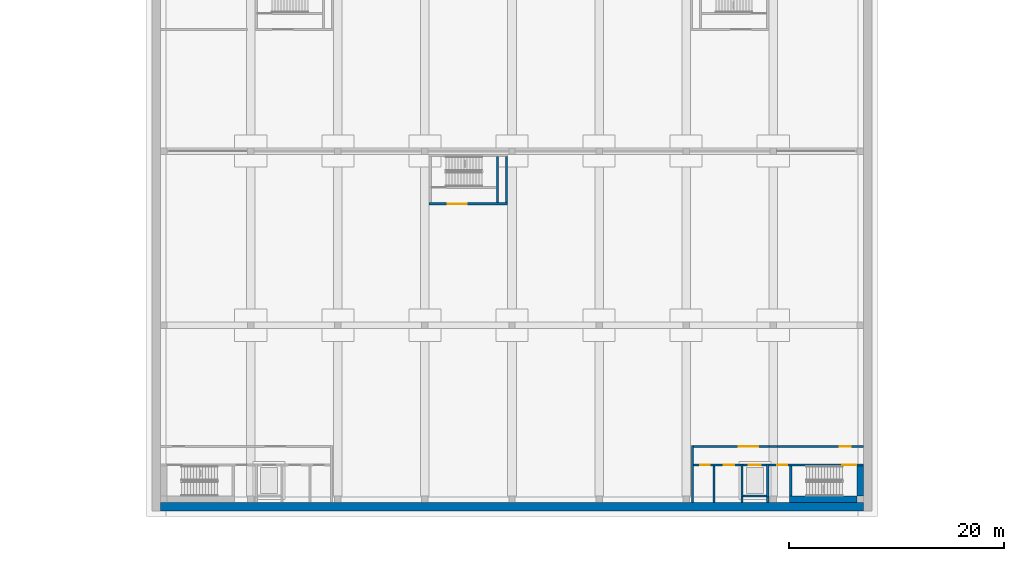
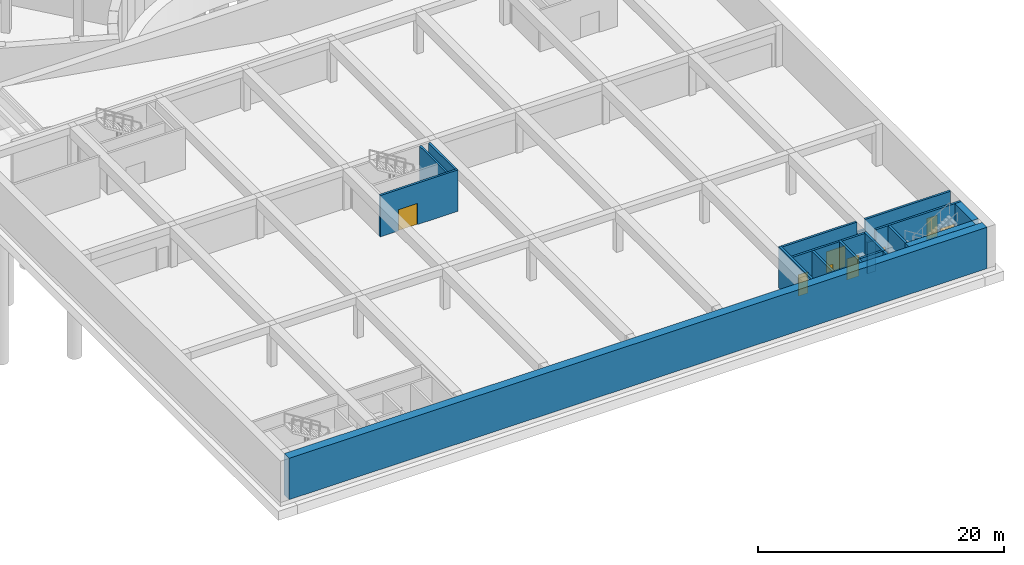
# One storey, part 6 of 25: 21 walls, 8 doors, 8 openings.
"""IFC4 building model written with IfcOpenShell, lengths in metres."""

from ifc_helpers import new_model, si_unit, direction, frame, frame_2d, origin, place, context, subcontext, project, spatial, rectangle, extrude, material, layer, layer_set, type_object, element, fill, save


model = new_model("IFC4")

# Units and contexts
model_context = context("Model", 3, precision=1e-05, world=origin(), true_north=direction((0.0, 1.0)))
body_context = subcontext(model_context, "Body", "Model", "MODEL_VIEW")
ifc_project = project(units=[si_unit("LENGTHUNIT", "METRE"), si_unit("AREAUNIT", "SQUARE_METRE"), si_unit("VOLUMEUNIT", "CUBIC_METRE"), si_unit("PLANEANGLEUNIT", "RADIAN"), si_unit("MASSUNIT", "GRAM", prefix="KILO")], contexts=[model_context])

# Site, building, storey
site_placement = place(None, origin())
site = spatial("IfcSite", under=ifc_project, at=site_placement, CompositionType="ELEMENT")
building_placement = place(site_placement, origin())
building = spatial("IfcBuilding", under=site, at=building_placement, Name="Stone Belt Terrace Tower", CompositionType="ELEMENT")
storey_placement = place(building_placement, frame((0.0, 0.0, -13.5)))
storey = spatial("IfcBuildingStorey", under=building, at=storey_placement, Name="B3", CompositionType="ELEMENT", Elevation=-13.5)

# Wall
ifc_material_1 = material(Name="Concrete B30", Category="concrete")
ifc_layer_1 = layer(ifc_material_1, 0.199951171875)
ifc_layer_set_1 = layer_set([ifc_layer_1], Name="Car park core wall 200")
wall_type_1 = type_object("IfcWallType", Name="Car park core wall 200", PredefinedType="SOLIDWALL", material=ifc_layer_set_1)
wall_1_placement = place(storey_placement, frame((25.93994140625, -50.10009765625, 0.0), z_axis=(0.0, 0.0, 1.0), x_axis=(0.0, 1.0, 0.0)))
element("IfcWall", 1, at=wall_1_placement, inside=storey, type_object=wall_type_1, Name="Car park stair 2 wall", PredefinedType="SOLIDWALL", context=body_context, shape_type="SweptSolid", body=[
    extrude(rectangle(XDim=2.800048828125, YDim=0.199951171875, at=frame_2d((1.39990234375, 0.0))), origin(), (0.0, 0.0, 1.0), 4.10009765625),
])

# Wall, openings, doors
wall_2_placement = place(storey_placement, frame((24.699951171875, -47.199951171875, 0.0), z_axis=(0.0, 0.0, 1.0), x_axis=(1.0, 0.0, 0.0)))
wall_2 = element("IfcWall", 2, at=wall_2_placement, inside=storey, type_object=wall_type_1, Name="Car park core 2 wall", PredefinedType="SOLIDWALL", context=body_context, shape_type="SweptSolid", body=[
    extrude(rectangle(XDim=8.0, YDim=0.199951171875, at=frame_2d((4.0, 0.0))), origin(), (0.0, 0.0, 1.0), 4.10009765625),
])
opening_1_placement = place(wall_2_placement, frame((6.050048828125, 0.0, 0.0)))
opening_1 = element("IfcOpeningElement", 3, at=opening_1_placement, cuts=wall_2, Name="Opening B3-S12", PredefinedType="OPENING", context=body_context, shape_type="SweptSolid", body=[
    extrude(rectangle(XDim=1.300048828125, YDim=2.10009765625, at=frame_2d((0.64990234375, 1.050048828125))), frame((0.0, 0.10986328125, 0.0), z_axis=(0.0, -1.0, 0.0), x_axis=(1.0, 0.0, 0.0)), (0.0, 0.0, 1.0), 0.219970703125),
])
opening_2_placement = place(wall_2_placement, origin())
opening_2 = element("IfcOpeningElement", 4, at=opening_2_placement, cuts=wall_2, Name="Opening B3-S13", PredefinedType="OPENING", context=body_context, shape_type="SweptSolid", body=[
    extrude(rectangle(XDim=0.89990234375, YDim=2.10009765625, at=frame_2d((0.449951171875, 1.050048828125))), frame((0.0, 0.10986328125, 0.0), z_axis=(0.0, -1.0, 0.0), x_axis=(1.0, 0.0, 0.0)), (0.0, 0.0, 1.0), 0.219970703125),
])
ifc_material_2 = material(Name="Steel door leaf", Category="steel")
door_type_1 = type_object("IfcDoorType", Name="Core door 1300 fire rated", OperationType="NOTDEFINED", PredefinedType="DOOR", material=ifc_material_2)
door_1_placement = place(opening_1_placement, origin())
door_1 = element("IfcDoor", 5, at=door_1_placement, inside=storey, type_object=door_type_1, Name="Stair 2 door", OperationType="SINGLE_SWING_RIGHT", OverallHeight=2.10009765625, OverallWidth=1.300048828125, PredefinedType="DOOR", context=body_context, shape_type="SweptSolid", body=[
    extrude(rectangle(XDim=1.300048828125, YDim=2.10009765625, at=frame_2d((0.64990234375, 1.050048828125))), frame((0.0, 0.02490234375, 0.0), z_axis=(0.0, -1.0, 0.0), x_axis=(1.0, 0.0, 0.0)), (0.0, 0.0, 1.0), 0.050048828125),
])
fill(opening_1, door_1)
door_type_2 = type_object("IfcDoorType", Name="Core door 900 fire rated", OperationType="NOTDEFINED", PredefinedType="DOOR", material=ifc_material_2)
door_2_placement = place(opening_2_placement, origin())
door_2 = element("IfcDoor", 6, at=door_2_placement, inside=storey, type_object=door_type_2, Name="Riser room 2 door", OperationType="SINGLE_SWING_LEFT", OverallHeight=2.10009765625, OverallWidth=0.89990234375, PredefinedType="DOOR", context=body_context, shape_type="SweptSolid", body=[
    extrude(rectangle(XDim=0.89990234375, YDim=2.10009765625, at=frame_2d((0.449951171875, 1.050048828125))), frame((0.0, 0.02490234375, 0.0), z_axis=(0.0, -1.0, 0.0), x_axis=(1.0, 0.0, 0.0)), (0.0, 0.0, 1.0), 0.050048828125),
])
fill(opening_2, door_2)

wall_3_placement = place(storey_placement, frame((16.89990234375, -47.199951171875, 0.0), z_axis=(0.0, 0.0, 1.0), x_axis=(1.0, 0.0, 0.0)))
wall_3 = element("IfcWall", 7, at=wall_3_placement, inside=storey, type_object=wall_type_1, Name="Car park core 2 wall", PredefinedType="SOLIDWALL", context=body_context, shape_type="SweptSolid", body=[
    extrude(rectangle(XDim=4.400146484375, YDim=0.199951171875, at=frame_2d((2.2001953125, 0.0))), origin(), (0.0, 0.0, 1.0), 4.10009765625),
])
opening_3_placement = place(wall_3_placement, frame((2.800048828125, 0.0, 0.0)))
opening_3 = element("IfcOpeningElement", 8, at=opening_3_placement, cuts=wall_3, Name="Opening B3-S15", PredefinedType="OPENING", context=body_context, shape_type="SweptSolid", body=[
    extrude(rectangle(XDim=1.0, YDim=2.10009765625, at=frame_2d((0.5, 1.050048828125))), frame((0.0, 0.10986328125, 0.0), z_axis=(0.0, -1.0, 0.0), x_axis=(1.0, 0.0, 0.0)), (0.0, 0.0, 1.0), 0.219970703125),
])
opening_4_placement = place(wall_3_placement, frame((0.60009765625, 0.0, 0.0)))
opening_4 = element("IfcOpeningElement", 9, at=opening_4_placement, cuts=wall_3, Name="Opening B3-S16", PredefinedType="OPENING", context=body_context, shape_type="SweptSolid", body=[
    extrude(rectangle(XDim=0.89990234375, YDim=2.10009765625, at=frame_2d((0.449951171875, 1.050048828125))), frame((0.0, 0.10986328125, 0.0), z_axis=(0.0, -1.0, 0.0), x_axis=(1.0, 0.0, 0.0)), (0.0, 0.0, 1.0), 0.219970703125),
])
door_type_3 = type_object("IfcDoorType", Name="Core door 1000 fire rated", OperationType="NOTDEFINED", PredefinedType="DOOR", material=ifc_material_2)
door_3_placement = place(opening_3_placement, origin())
door_3 = element("IfcDoor", 10, at=door_3_placement, inside=storey, type_object=door_type_3, Name="Accessible WC 2 door", OperationType="SINGLE_SWING_RIGHT", OverallHeight=2.10009765625, OverallWidth=1.0, PredefinedType="DOOR", context=body_context, shape_type="SweptSolid", body=[
    extrude(rectangle(XDim=1.0, YDim=2.10009765625, at=frame_2d((0.5, 1.050048828125))), frame((0.0, 0.02490234375, 0.0), z_axis=(0.0, -1.0, 0.0), x_axis=(1.0, 0.0, 0.0)), (0.0, 0.0, 1.0), 0.050048828125),
])
fill(opening_3, door_3)
door_4_placement = place(opening_4_placement, origin())
door_4 = element("IfcDoor", 11, at=door_4_placement, inside=storey, type_object=door_type_2, Name="Equipment store 2 door", OperationType="SINGLE_SWING_LEFT", OverallHeight=2.10009765625, OverallWidth=0.89990234375, PredefinedType="DOOR", context=body_context, shape_type="SweptSolid", body=[
    extrude(rectangle(XDim=0.89990234375, YDim=2.10009765625, at=frame_2d((0.449951171875, 1.050048828125))), frame((0.0, 0.02490234375, 0.0), z_axis=(0.0, -1.0, 0.0), x_axis=(1.0, 0.0, 0.0)), (0.0, 0.0, 1.0), 0.050048828125),
])
fill(opening_4, door_4)

# Walls
for number, where, z_axis, x_axis, name in (
    (12, (23.800048828125, -50.699951171875, 0.0), (0.0, 0.0, 1.0), (0.0, 1.0, 0.0), "Car park core 2 wall"),
    (13, (21.39990234375, -50.699951171875, 0.0), (0.0, 0.0, 1.0), (0.0, 1.0, 0.0), "Car park core 2 wall"),
):
    element("IfcWall", number, at=place(storey_placement, frame(where, z_axis=z_axis, x_axis=x_axis)), inside=storey, type_object=wall_type_1, Name=name, PredefinedType="SOLIDWALL", context=body_context, shape_type="SweptSolid", body=[
        extrude(rectangle(XDim=0.5, YDim=0.199951171875, at=frame_2d((0.25, 0.0))), origin(), (0.0, 0.0, 1.0), 4.10009765625),
    ])
wall_4_placement = place(storey_placement, frame((16.800048828125, -50.699951171875, 0.0), z_axis=(0.0, 0.0, 1.0), x_axis=(0.0, 1.0, 0.0)))
element("IfcWall", 14, at=wall_4_placement, inside=storey, type_object=wall_type_1, Name="Car park core 2 wall", PredefinedType="SOLIDWALL", context=body_context, shape_type="SweptSolid", body=[
    extrude(rectangle(XDim=5.300048828125, YDim=0.199951171875, at=frame_2d((2.64990234375, 0.0))), origin(), (0.0, 0.0, 1.0), 4.10009765625),
])

# Wall, opening, door
wall_5_placement = place(storey_placement, frame((16.89990234375, -45.5, 0.0), z_axis=(0.0, 0.0, 1.0), x_axis=(1.0, 0.0, 0.0)))
wall_5 = element("IfcWall", 15, at=wall_5_placement, inside=storey, type_object=wall_type_1, Name="Car park core 2 front wall", PredefinedType="SOLIDWALL", context=body_context, shape_type="SweptSolid", body=[
    extrude(rectangle(XDim=7.0, YDim=0.199951171875, at=frame_2d((3.5, 0.0))), origin(), (0.0, 0.0, 1.0), 4.10009765625),
])
opening_5_placement = place(wall_5_placement, frame((4.199951171875, 0.0, 0.0)))
opening_5 = element("IfcOpeningElement", 16, at=opening_5_placement, cuts=wall_5, Name="Opening B3-S17", PredefinedType="OPENING", context=body_context, shape_type="SweptSolid", body=[
    extrude(rectangle(XDim=1.800048828125, YDim=2.10009765625, at=frame_2d((0.89990234375, 1.050048828125))), frame((0.0, 0.10986328125, 0.0), z_axis=(0.0, -1.0, 0.0), x_axis=(1.0, 0.0, 0.0)), (0.0, 0.0, 1.0), 0.219970703125),
])
door_type_4 = type_object("IfcDoorType", Name="Core door pair 1800 fire rated", OperationType="DOUBLE_DOOR_DOUBLE_SWING", PredefinedType="DOOR", material=ifc_material_2)
door_5_placement = place(opening_5_placement, origin())
door_5 = element("IfcDoor", 17, at=door_5_placement, inside=storey, type_object=door_type_4, Name="Car park lobby 2 door", OperationType="SINGLE_SWING_LEFT", OverallHeight=2.10009765625, OverallWidth=1.800048828125, PredefinedType="DOOR", context=body_context, shape_type="SweptSolid", body=[
    extrude(rectangle(XDim=1.800048828125, YDim=2.10009765625, at=frame_2d((0.89990234375, 1.050048828125))), frame((0.0, 0.02490234375, 0.0), z_axis=(0.0, -1.0, 0.0), x_axis=(1.0, 0.0, 0.0)), (0.0, 0.0, 1.0), 0.050048828125),
])
fill(opening_5, door_5)

wall_6_placement = place(storey_placement, frame((24.699951171875, -45.5, 0.0), z_axis=(0.0, 0.0, 1.0), x_axis=(1.0, 0.0, 0.0)))
wall_6 = element("IfcWall", 18, at=wall_6_placement, inside=storey, type_object=wall_type_1, Name="Car park core 2 front wall", PredefinedType="SOLIDWALL", context=body_context, shape_type="SweptSolid", body=[
    extrude(rectangle(XDim=8.0, YDim=0.199951171875, at=frame_2d((4.0, 0.0))), origin(), (0.0, 0.0, 1.0), 4.10009765625),
])
opening_6_placement = place(wall_6_placement, frame((5.800048828125, 0.0, 0.0)))
opening_6 = element("IfcOpeningElement", 19, at=opening_6_placement, cuts=wall_6, Name="Opening B3-S18", PredefinedType="OPENING", context=body_context, shape_type="SweptSolid", body=[
    extrude(rectangle(XDim=1.0, YDim=2.10009765625, at=frame_2d((0.5, 1.050048828125))), frame((0.0, 0.10986328125, 0.0), z_axis=(0.0, -1.0, 0.0), x_axis=(1.0, 0.0, 0.0)), (0.0, 0.0, 1.0), 0.219970703125),
])
door_6_placement = place(opening_6_placement, origin())
door_6 = element("IfcDoor", 20, at=door_6_placement, inside=storey, type_object=door_type_3, Name="Car park exit 2 door", OperationType="SINGLE_SWING_LEFT", OverallHeight=2.10009765625, OverallWidth=1.0, PredefinedType="DOOR", context=body_context, shape_type="SweptSolid", body=[
    extrude(rectangle(XDim=1.0, YDim=2.10009765625, at=frame_2d((0.5, 1.050048828125))), frame((0.0, 0.02490234375, 0.0), z_axis=(0.0, -1.0, 0.0), x_axis=(1.0, 0.0, 0.0)), (0.0, 0.0, 1.0), 0.050048828125),
])
fill(opening_6, door_6)

wall_7_placement = place(storey_placement, frame((-7.699951171875, -22.89990234375, 0.0), z_axis=(0.0, 0.0, 1.0), x_axis=(1.0, 0.0, 0.0)))
wall_7 = element("IfcWall", 21, at=wall_7_placement, inside=storey, type_object=wall_type_1, Name="Car park stair 5 front wall", PredefinedType="SOLIDWALL", context=body_context, shape_type="SweptSolid", body=[
    extrude(rectangle(XDim=7.300048828125, YDim=0.199951171875, at=frame_2d((3.64990234375, 0.0))), origin(), (0.0, 0.0, 1.0), 4.10009765625),
])
opening_7_placement = place(wall_7_placement, frame((1.699951171875, 0.0, 0.0)))
opening_7 = element("IfcOpeningElement", 22, at=opening_7_placement, cuts=wall_7, Name="Opening B3-S24", PredefinedType="OPENING", context=body_context, shape_type="SweptSolid", body=[
    extrude(rectangle(XDim=1.800048828125, YDim=2.10009765625, at=frame_2d((0.89990234375, 1.050048828125))), frame((0.0, 0.10986328125, 0.0), z_axis=(0.0, -1.0, 0.0), x_axis=(1.0, 0.0, 0.0)), (0.0, 0.0, 1.0), 0.219970703125),
])
door_7_placement = place(opening_7_placement, origin())
door_7 = element("IfcDoor", 23, at=door_7_placement, inside=storey, type_object=door_type_4, Name="Car park stair 5 vestibule door", OperationType="SINGLE_SWING_LEFT", OverallHeight=2.10009765625, OverallWidth=1.800048828125, PredefinedType="DOOR", context=body_context, shape_type="SweptSolid", body=[
    extrude(rectangle(XDim=1.800048828125, YDim=2.10009765625, at=frame_2d((0.89990234375, 1.050048828125))), frame((0.0, 0.02490234375, 0.0), z_axis=(0.0, -1.0, 0.0), x_axis=(1.0, 0.0, 0.0)), (0.0, 0.0, 1.0), 0.050048828125),
])
fill(opening_7, door_7)

# Walls
for number, where, z_axis, x_axis, name in (
    (24, (-1.340087890625, -22.800048828125, 0.0), (0.0, 0.0, 1.0), (0.0, 1.0, 0.0), "Car park stair 5 wall"),
    (25, (-0.5, -22.800048828125, 0.0), (0.0, 0.0, 1.0), (0.0, 1.0, 0.0), "Car park stair 5 wall"),
):
    element("IfcWall", number, at=place(storey_placement, frame(where, z_axis=z_axis, x_axis=x_axis)), inside=storey, type_object=wall_type_1, Name=name, PredefinedType="SOLIDWALL", context=body_context, shape_type="SweptSolid", body=[
        extrude(rectangle(XDim=4.300048828125, YDim=0.199951171875, at=frame_2d((2.14990234375, 0.0))), origin(), (0.0, 0.0, 1.0), 4.10009765625),
    ])
ifc_layer_2 = layer(ifc_material_1, 0.199951171875)
ifc_layer_set_2 = layer_set([ifc_layer_2], Name="Car park core wall 200 variant A")
wall_type_2 = type_object("IfcWallType", Name="Car park core wall 200 variant A", PredefinedType="SOLIDWALL", material=ifc_layer_set_2)
for number, where, z_axis, x_axis, name in (
    (26, (23.89990234375, -47.199951171875, 0.0), (0.0, 0.0, 1.0), (1.0, 0.0, 0.0), "Car park core 2 wall"),
    (27, (23.89990234375, -45.5, 0.0), (0.0, 0.0, 1.0), (1.0, 0.0, 0.0), "Car park core 2 front wall"),
):
    element("IfcWall", number, at=place(storey_placement, frame(where, z_axis=z_axis, x_axis=x_axis)), inside=storey, type_object=wall_type_2, Name=name, PredefinedType="SOLIDWALL", context=body_context, shape_type="SweptSolid", body=[
        extrude(rectangle(XDim=0.800048828125, YDim=0.199951171875, at=frame_2d((0.39990234375, 0.0))), origin(), (0.0, 0.0, 1.0), 3.10009765625),
    ])

# Wall, opening, door
ifc_layer_3 = layer(ifc_material_1, 0.199951171875)
ifc_layer_set_3 = layer_set([ifc_layer_3], Name="Car park core wall 200 variant B")
wall_type_3 = type_object("IfcWallType", Name="Car park core wall 200 variant B", PredefinedType="SOLIDWALL", material=ifc_layer_set_3)
wall_8_placement = place(storey_placement, frame((21.5, -47.199951171875, -1.0), z_axis=(0.0, 0.0, 1.0), x_axis=(1.0, 0.0, 0.0)))
wall_8 = element("IfcWall", 28, at=wall_8_placement, inside=storey, type_object=wall_type_3, Name="Car park lift 2 shaft wall", PredefinedType="SOLIDWALL", context=body_context, shape_type="SweptSolid", body=[
    extrude(rectangle(XDim=2.199951171875, YDim=0.199951171875, at=frame_2d((1.10009765625, 0.0))), origin(), (0.0, 0.0, 1.0), 5.10009765625),
])
opening_8_placement = place(wall_8_placement, frame((0.550048828125, 0.0, 1.0)))
opening_8 = element("IfcOpeningElement", 29, at=opening_8_placement, cuts=wall_8, Name="Opening B3-S14", PredefinedType="OPENING", context=body_context, shape_type="SweptSolid", body=[
    extrude(rectangle(XDim=1.10009765625, YDim=2.10009765625, at=frame_2d((0.550048828125, 1.050048828125))), frame((0.0, 0.10986328125, 0.0), z_axis=(0.0, -1.0, 0.0), x_axis=(1.0, 0.0, 0.0)), (0.0, 0.0, 1.0), 0.219970703125),
])
ifc_material_3 = material(Name="Stainless steel", Category="steel")
door_type_5 = type_object("IfcDoorType", Name="Lift landing door 1100", OperationType="SLIDING_TO_LEFT", PredefinedType="DOOR", material=ifc_material_3)
door_8_placement = place(opening_8_placement, origin())
door_8 = element("IfcDoor", 30, at=door_8_placement, inside=storey, type_object=door_type_5, Name="Lift 2 landing door", OperationType="SLIDING_TO_RIGHT", OverallHeight=2.10009765625, OverallWidth=1.10009765625, PredefinedType="DOOR", context=body_context, shape_type="SweptSolid", body=[
    extrude(rectangle(XDim=1.10009765625, YDim=2.10009765625, at=frame_2d((0.550048828125, 1.050048828125))), frame((0.0, 0.02490234375, 0.0), z_axis=(0.0, -1.0, 0.0), x_axis=(1.0, 0.0, 0.0)), (0.0, 0.0, 1.0), 0.050048828125),
])
fill(opening_8, door_8)

# Walls
for number, where, z_axis, x_axis, name in (
    (31, (23.800048828125, -50.199951171875, -1.0), (0.0, 0.0, 1.0), (0.0, 1.0, 0.0), "Car park lift 2 shaft wall"),
    (32, (21.39990234375, -50.199951171875, -1.0), (0.0, 0.0, 1.0), (0.0, 1.0, 0.0), "Car park lift 2 shaft wall"),
):
    element("IfcWall", number, at=place(storey_placement, frame(where, z_axis=z_axis, x_axis=x_axis)), inside=storey, type_object=wall_type_3, Name=name, PredefinedType="SOLIDWALL", context=body_context, shape_type="SweptSolid", body=[
        extrude(rectangle(XDim=3.099853515625, YDim=0.199951171875, at=frame_2d((1.5498046875, 0.0))), origin(), (0.0, 0.0, 1.0), 5.10009765625),
    ])
wall_9_placement = place(storey_placement, frame((21.5, -50.10009765625, -1.0), z_axis=(0.0, 0.0, 1.0), x_axis=(1.0, 0.0, 0.0)))
element("IfcWall", 33, at=wall_9_placement, inside=storey, type_object=wall_type_3, Name="Car park lift 2 shaft wall", PredefinedType="SOLIDWALL", context=body_context, shape_type="SweptSolid", body=[
    extrude(rectangle(XDim=2.199951171875, YDim=0.199951171875, at=frame_2d((1.10009765625, 0.0))), origin(), (0.0, 0.0, 1.0), 5.10009765625),
])
ifc_material_4 = material(Name="Blockwork", Category="masonry")
ifc_layer_4 = layer(ifc_material_4, 0.199951171875)
ifc_layer_set_4 = layer_set([ifc_layer_4], Name="Car park partition 200")
wall_type_4 = type_object("IfcWallType", Name="Car park partition 200", PredefinedType="PARTITIONING", material=ifc_layer_set_4)
wall_10_placement = place(storey_placement, frame((18.800048828125, -50.699951171875, 0.0), z_axis=(0.0, 0.0, 1.0), x_axis=(0.0, 1.0, 0.0)))
element("IfcWall", 34, at=wall_10_placement, inside=storey, type_object=wall_type_4, Name="Car park core 2 partition", PredefinedType="PARTITIONING", context=body_context, shape_type="SweptSolid", body=[
    extrude(rectangle(XDim=3.39990234375, YDim=0.199951171875, at=frame_2d((1.699951171875, 0.0))), origin(), (0.0, 0.0, 1.0), 4.10009765625),
])
ifc_layer_5 = layer(ifc_material_1, 0.800048828125)
ifc_layer_set_5 = layer_set([ifc_layer_5], Name="Car park retaining wall 800")
wall_type_5 = type_object("IfcWallType", Name="Car park retaining wall 800", PredefinedType="SOLIDWALL", material=ifc_layer_set_5)
wall_11_placement = place(storey_placement, frame((-32.699951171875, -51.10009765625, 0.0), z_axis=(0.0, 0.0, 1.0), x_axis=(1.0, 0.0, 0.0)))
element("IfcWall", 35, at=wall_11_placement, inside=storey, type_object=wall_type_5, Name="Car park retaining wall south", PredefinedType="SOLIDWALL", context=body_context, shape_type="SweptSolid", body=[
    extrude(rectangle(XDim=65.39990234375, YDim=0.800048828125, at=frame_2d((32.699951171875, 0.0))), origin(), (0.0, 0.0, 1.0), 4.10009765625),
])
ifc_layer_6 = layer(ifc_material_1, 0.60009765625)
ifc_layer_set_6 = layer_set([ifc_layer_6], Name="Car park stair wall 600")
wall_type_6 = type_object("IfcWallType", Name="Car park stair wall 600", PredefinedType="SOLIDWALL", material=ifc_layer_set_6)
wall_12_placement = place(storey_placement, frame((25.840087890625, -50.39990234375, 0.0), z_axis=(0.0, 0.0, 1.0), x_axis=(1.0, 0.0, 0.0)))
element("IfcWall", 36, at=wall_12_placement, inside=storey, type_object=wall_type_6, Name="Car park stair 2 wall", PredefinedType="SOLIDWALL", context=body_context, shape_type="SweptSolid", body=[
    extrude(rectangle(XDim=6.260009765625, YDim=0.60009765625, at=frame_2d((3.1298828125, 0.0))), origin(), (0.0, 0.0, 1.0), 4.10009765625),
])
wall_13_placement = place(storey_placement, frame((32.39990234375, -50.10009765625, 0.0), z_axis=(0.0, 0.0, 1.0), x_axis=(0.0, 1.0, 0.0)))
element("IfcWall", 37, at=wall_13_placement, inside=storey, type_object=wall_type_6, Name="Car park stair 2 wall", PredefinedType="SOLIDWALL", context=body_context, shape_type="SweptSolid", body=[
    extrude(rectangle(XDim=2.800048828125, YDim=0.60009765625, at=frame_2d((1.39990234375, 0.0))), origin(), (0.0, 0.0, 1.0), 4.10009765625),
])

save(model, "model.ifc")
